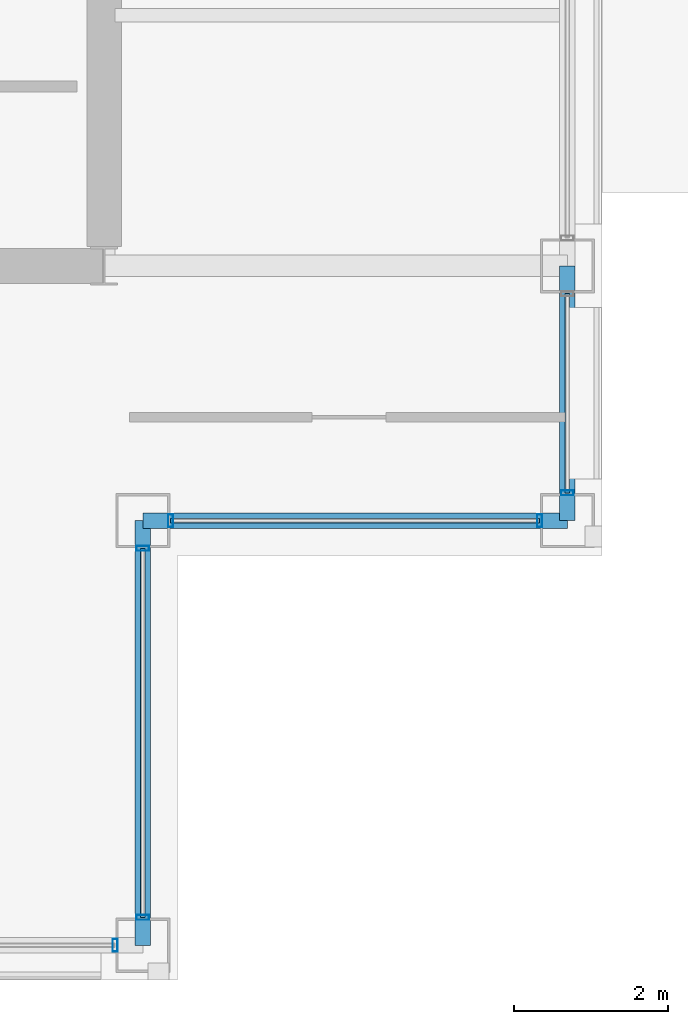
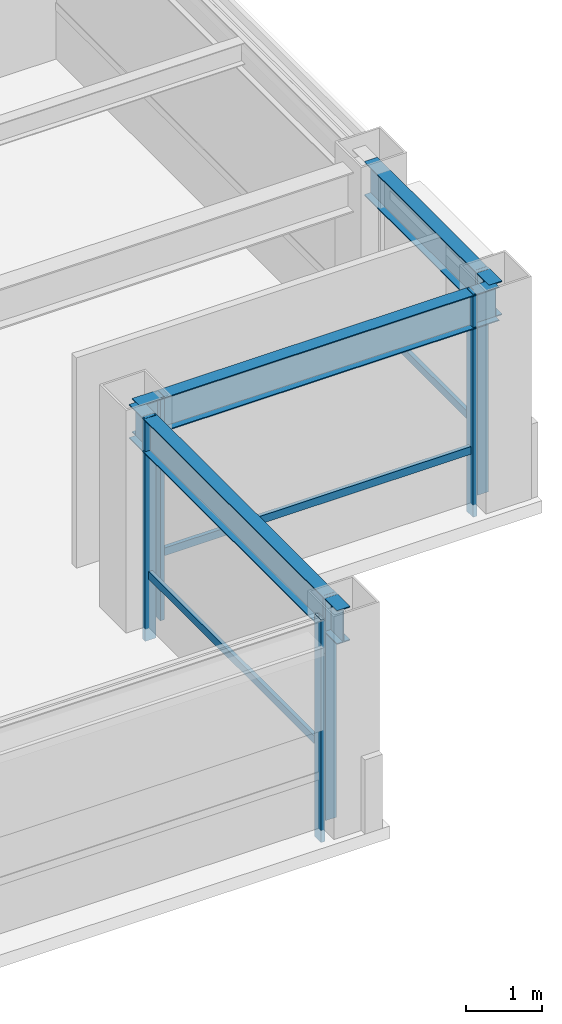
# One storey, part 12 of 26: 9 members, 3 beams, 4 elements without a shape of their own.
"""IFC4 building model written with IfcOpenShell, lengths in metres."""

from ifc_helpers import new_model, si_unit, direction, frame, origin, origin_2d, place, context, subcontext, project, spatial, hollow_rectangle, i_section, extrude, material, layer, layer_set, material_profile, profile_set, type_object, element, aggregate, save


model = new_model("IFC4")

# Units and contexts
model_context = context("Model", 3, precision=1e-05, world=origin(), true_north=direction((0.0, 1.0)))
body_context = subcontext(model_context, "Body", "Model", "MODEL_VIEW")
ifc_project = project(units=[si_unit("LENGTHUNIT", "METRE"), si_unit("AREAUNIT", "SQUARE_METRE"), si_unit("VOLUMEUNIT", "CUBIC_METRE"), si_unit("PLANEANGLEUNIT", "RADIAN"), si_unit("MASSUNIT", "GRAM", prefix="KILO")], contexts=[model_context])

# Site, building, storey
site_placement = place(None, origin())
site = spatial("IfcSite", under=ifc_project, at=site_placement, CompositionType="ELEMENT")
building_placement = place(site_placement, origin())
building = spatial("IfcBuilding", under=site, at=building_placement, Name="Brelmoor Portico Tower", CompositionType="ELEMENT")
storey_placement = place(building_placement, frame((0.0, 0.0, 205.5)))
storey = spatial("IfcBuildingStorey", under=building, at=storey_placement, Name="L54", CompositionType="ELEMENT", Elevation=205.5)

# Beams
ifc_material_1 = material(Name="Steel Q355B", Category="steel")
ifc_material_profile_1 = material_profile(ifc_material_1, i_section(OverallWidth=0.199951171875, OverallDepth=0.550048828125, WebThickness=0.010009765625, FlangeThickness=0.01611328125, at=origin_2d()), Name="HN 550x200x10x16")
ifc_profile_set_1 = profile_set([ifc_material_profile_1], Name="Steel Q355B")
beam_type = type_object("IfcBeamType", Name="BM-SP-550", PredefinedType="SPANDREL", material=ifc_profile_set_1)
for number, where, z_axis, x_axis, name in (
    (1, (15.050048828125, -13.050048828125, 3.125), (1.0, 0.0, 0.0), (0.0, 1.0, 0.0), "L54 Perimeter Spandrel Beam SP-05"),
    (2, (15.050048828125, -18.550048828125, 3.125), (0.0, 1.0, 0.0), (-1.0, 0.0, 0.0), "L54 Perimeter Spandrel Beam SP-16"),
):
    element("IfcBeam", number, at=place(storey_placement, frame(where, z_axis=z_axis, x_axis=x_axis)), inside=storey, type_object=beam_type, Name=name, PredefinedType="SPANDREL", context=body_context, shape_type="SweptSolid", body=[
        extrude(i_section(OverallWidth=0.199951171875, OverallDepth=0.550048828125, WebThickness=0.010009765625, FlangeThickness=0.01611328125, at=origin_2d()), origin(), (0.0, 0.0, 1.0), 5.5),
    ])
beam_placement = place(storey_placement, frame((20.550048828125, -13.050048828125, 3.125), z_axis=(0.0, 1.0, 0.0), x_axis=(-1.0, 0.0, 0.0)))
element("IfcBeam", 3, at=beam_placement, inside=storey, type_object=beam_type, Name="L54 Perimeter Spandrel Beam SP-18", PredefinedType="SPANDREL", context=body_context, shape_type="SweptSolid", body=[
    extrude(i_section(OverallWidth=0.199951171875, OverallDepth=0.550048828125, WebThickness=0.010009765625, FlangeThickness=0.01611328125, at=origin_2d()), origin(), (0.0, 0.0, 1.0), 3.300048828125),
])

# Curtain wall, member
ifc_material_2 = material(Name="Anodised Aluminium Alloy 6063-T6", Category="aluminium")
ifc_layer_1 = layer(ifc_material_2, 0.179931640625)
ifc_layer_set_1 = layer_set([ifc_layer_1], Name="Anodised Aluminium Alloy 6063-T6")
curtain_wall_type_1 = type_object("IfcCurtainWallType", Name="CW-TOWER-Z3", PredefinedType="NOTDEFINED", material=ifc_layer_set_1)
curtain_wall_1_placement = place(storey_placement, origin())
curtain_wall_1 = element("IfcCurtainWall", 4, at=curtain_wall_1_placement, inside=storey, type_object=curtain_wall_type_1, Name="L54 Curtain Wall CW-L54-01-3", PredefinedType="NOTDEFINED")
ifc_material_profile_2 = material_profile(ifc_material_2, hollow_rectangle(XDim=0.06494140625, YDim=0.1650390625, WallThickness=0.00390625, at=origin_2d()), Name="ALU MULLION 65x165")
ifc_profile_set_2 = profile_set([ifc_material_profile_2], Name="Anodised Aluminium Alloy 6063-T6")
member_type_1 = type_object("IfcMemberType", Name="MB-CW-MULL-165", PredefinedType="MULLION", material=ifc_profile_set_2)
member_1_placement = place(storey_placement, frame((14.68994140625, -18.550048828125, -0.199951171875), z_axis=(0.0, 0.0, 1.0), x_axis=(1.0, 0.0, 0.0)))
member_1 = element("IfcMember", 5, at=member_1_placement, type_object=member_type_1, Name="CW-L54-01-3 Mullion 01", PredefinedType="MULLION", context=body_context, shape_type="SweptSolid", body=[
    extrude(hollow_rectangle(XDim=0.06494140625, YDim=0.1650390625, WallThickness=0.00390625, at=origin_2d()), origin(), (0.0, 0.0, 1.0), 3.599853515625),
])
aggregate(curtain_wall_1, [member_1])

curtain_wall_2_placement = place(storey_placement, origin())
curtain_wall_2 = element("IfcCurtainWall", 6, at=curtain_wall_2_placement, inside=storey, type_object=curtain_wall_type_1, Name="L54 Curtain Wall CW-L54-04-1", PredefinedType="NOTDEFINED")
member_2_placement = place(storey_placement, frame((20.550048828125, -12.68994140625, -0.199951171875), z_axis=(0.0, 0.0, 1.0), x_axis=(0.0, 1.0, 0.0)))
member_2 = element("IfcMember", 7, at=member_2_placement, type_object=member_type_1, Name="CW-L54-04-1 Mullion 00", PredefinedType="MULLION", context=body_context, shape_type="SweptSolid", body=[
    extrude(hollow_rectangle(XDim=0.06494140625, YDim=0.1650390625, WallThickness=0.00390625, at=origin_2d()), origin(), (0.0, 0.0, 1.0), 3.599853515625),
])

# Curtain wall, members
ifc_layer_2 = layer(ifc_material_2, 0.179931640625)
ifc_layer_set_2 = layer_set([ifc_layer_2], Name="Anodised Aluminium Alloy 6063-T6")
curtain_wall_type_2 = type_object("IfcCurtainWallType", Name="CW-NOTCH-CHAMFER", PredefinedType="NOTDEFINED", material=ifc_layer_set_2)
curtain_wall_3_placement = place(storey_placement, origin())
curtain_wall_3 = element("IfcCurtainWall", 8, at=curtain_wall_3_placement, inside=storey, type_object=curtain_wall_type_2, Name="L54 Curtain Wall CWN-L54-SEH", PredefinedType="NOTDEFINED")
member_3_placement = place(storey_placement, frame((15.409912109375, -13.050048828125, -0.199951171875), z_axis=(0.0, 0.0, 1.0), x_axis=(1.0, 0.0, 0.0)))
member_3 = element("IfcMember", 9, at=member_3_placement, type_object=member_type_1, Name="CWN-L54-SEH Mullion 00", PredefinedType="MULLION", context=body_context, shape_type="SweptSolid", body=[
    extrude(hollow_rectangle(XDim=0.06494140625, YDim=0.1650390625, WallThickness=0.00390625, at=origin_2d()), origin(), (0.0, 0.0, 1.0), 3.599853515625),
])
member_4_placement = place(storey_placement, frame((20.18994140625, -13.050048828125, -0.199951171875), z_axis=(0.0, 0.0, 1.0), x_axis=(1.0, 0.0, 0.0)))
member_4 = element("IfcMember", 10, at=member_4_placement, type_object=member_type_1, Name="CWN-L54-SEH Mullion 01", PredefinedType="MULLION", context=body_context, shape_type="SweptSolid", body=[
    extrude(hollow_rectangle(XDim=0.06494140625, YDim=0.1650390625, WallThickness=0.00390625, at=origin_2d()), origin(), (0.0, 0.0, 1.0), 3.599853515625),
])

curtain_wall_4_placement = place(storey_placement, origin())
curtain_wall_4 = element("IfcCurtainWall", 11, at=curtain_wall_4_placement, inside=storey, type_object=curtain_wall_type_2, Name="L54 Curtain Wall CWN-L54-SEV", PredefinedType="NOTDEFINED")
member_5_placement = place(storey_placement, frame((15.050048828125, -18.18994140625, -0.199951171875), z_axis=(0.0, 0.0, 1.0), x_axis=(0.0, 1.0, 0.0)))
member_5 = element("IfcMember", 12, at=member_5_placement, type_object=member_type_1, Name="CWN-L54-SEV Mullion 00", PredefinedType="MULLION", context=body_context, shape_type="SweptSolid", body=[
    extrude(hollow_rectangle(XDim=0.06494140625, YDim=0.1650390625, WallThickness=0.00390625, at=origin_2d()), origin(), (0.0, 0.0, 1.0), 3.599853515625),
])
member_6_placement = place(storey_placement, frame((15.050048828125, -13.409912109375, -0.199951171875), z_axis=(0.0, 0.0, 1.0), x_axis=(0.0, 1.0, 0.0)))
member_6 = element("IfcMember", 13, at=member_6_placement, type_object=member_type_1, Name="CWN-L54-SEV Mullion 01", PredefinedType="MULLION", context=body_context, shape_type="SweptSolid", body=[
    extrude(hollow_rectangle(XDim=0.06494140625, YDim=0.1650390625, WallThickness=0.00390625, at=origin_2d()), origin(), (0.0, 0.0, 1.0), 3.599853515625),
])

# Member
ifc_material_profile_3 = material_profile(ifc_material_2, hollow_rectangle(XDim=0.06005859375, YDim=0.125, WallThickness=0.00341796875, at=origin_2d()), Name="ALU TRANSOM 60x125")
ifc_profile_set_3 = profile_set([ifc_material_profile_3], Name="Anodised Aluminium Alloy 6063-T6")
member_type_2 = type_object("IfcMemberType", Name="MB-CW-TRAN-125", PredefinedType="USERDEFINED", material=ifc_profile_set_3)
member_7_placement = place(storey_placement, frame((20.550048828125, -12.68994140625, 0.85009765625), z_axis=(0.0, 1.0, 0.0), x_axis=(-1.0, 0.0, 0.0)))
member_7 = element("IfcMember", 14, at=member_7_placement, type_object=member_type_2, Name="CW-L54-04-1 Transom 1-00", ObjectType="TRANSOM", PredefinedType="USERDEFINED", context=body_context, shape_type="SweptSolid", body=[
    extrude(hollow_rectangle(XDim=0.06005859375, YDim=0.125, WallThickness=0.00341796875, at=origin_2d()), origin(), (0.0, 0.0, 1.0), 2.579833984375),
])

aggregate(curtain_wall_2, [member_2, member_7])

member_8_placement = place(storey_placement, frame((15.409912109375, -13.050048828125, 0.85009765625), z_axis=(1.0, 0.0, 0.0), x_axis=(0.0, 1.0, 0.0)))
member_8 = element("IfcMember", 15, at=member_8_placement, type_object=member_type_2, Name="CWN-L54-SEH Transom 1-00", ObjectType="TRANSOM", PredefinedType="USERDEFINED", context=body_context, shape_type="SweptSolid", body=[
    extrude(hollow_rectangle(XDim=0.06005859375, YDim=0.125, WallThickness=0.00341796875, at=origin_2d()), origin(), (0.0, 0.0, 1.0), 4.780029296875),
])

aggregate(curtain_wall_3, [member_3, member_4, member_8])

member_9_placement = place(storey_placement, frame((15.050048828125, -18.18994140625, 0.85009765625), z_axis=(0.0, 1.0, 0.0), x_axis=(-1.0, 0.0, 0.0)))
member_9 = element("IfcMember", 16, at=member_9_placement, type_object=member_type_2, Name="CWN-L54-SEV Transom 1-00", ObjectType="TRANSOM", PredefinedType="USERDEFINED", context=body_context, shape_type="SweptSolid", body=[
    extrude(hollow_rectangle(XDim=0.06005859375, YDim=0.125, WallThickness=0.00341796875, at=origin_2d()), origin(), (0.0, 0.0, 1.0), 4.780029296875),
])

aggregate(curtain_wall_4, [member_5, member_6, member_9])

save(model, "model.ifc")
